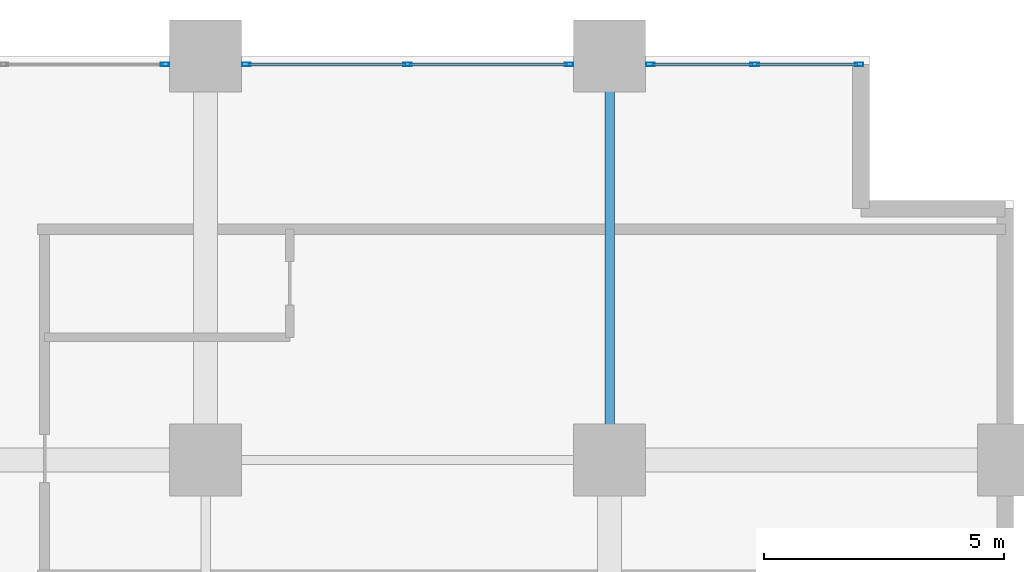
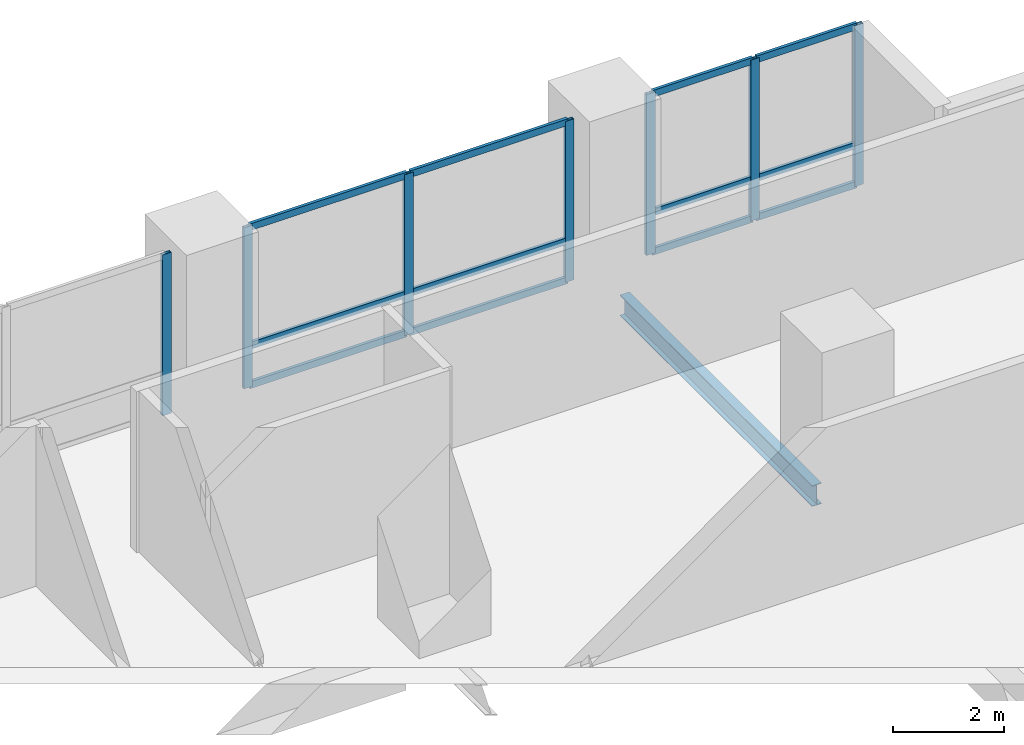
# One storey, part 5 of 21: 19 members, 1 beam, 3 elements without a shape of their own.
"""IFC4 building model written with IfcOpenShell, lengths in metres."""

from ifc_helpers import new_model, si_unit, direction, frame, origin, origin_2d, place, context, subcontext, project, spatial, hollow_rectangle, i_section, extrude, material, layer, layer_set, material_profile, profile_set, type_object, element, aggregate, save


model = new_model("IFC4")

# Units and contexts
model_context = context("Model", 3, precision=1e-05, world=origin(), true_north=direction((0.0, 1.0)))
body_context = subcontext(model_context, "Body", "Model", "MODEL_VIEW")
ifc_project = project(units=[si_unit("LENGTHUNIT", "METRE"), si_unit("AREAUNIT", "SQUARE_METRE"), si_unit("VOLUMEUNIT", "CUBIC_METRE"), si_unit("PLANEANGLEUNIT", "RADIAN"), si_unit("MASSUNIT", "GRAM", prefix="KILO")], contexts=[model_context])

# Site, building, storey
site_placement = place(None, origin())
site = spatial("IfcSite", under=ifc_project, at=site_placement, CompositionType="ELEMENT")
building_placement = place(site_placement, origin())
building = spatial("IfcBuilding", under=site, at=building_placement, Name="Koriwani Terraces Tower", CompositionType="ELEMENT")
storey_placement = place(building_placement, frame((0.0, 0.0, 77.60009765625)))
storey = spatial("IfcBuildingStorey", under=building, at=storey_placement, Name="L18", CompositionType="ELEMENT", Elevation=77.60009765625)

# Curtain wall, member
ifc_material_1 = material(Name="Anodised Bronze Aluminium", Category="aluminium")
ifc_layer = layer(ifc_material_1, 0.179931640625, Name="Anodised Bronze Aluminium")
ifc_layer_set = layer_set([ifc_layer], Name="Anodised Bronze Aluminium")
curtain_wall_type = type_object("IfcCurtainWallType", Name="CW_HOTEL_ZONE1", PredefinedType="NOTDEFINED", material=ifc_layer_set)
curtain_wall_1_placement = place(storey_placement, origin())
curtain_wall_1 = element("IfcCurtainWall", 1, at=curtain_wall_1_placement, inside=storey, type_object=curtain_wall_type, Name="L18 Unitised Curtain Wall (N_TIP) Bay 2", PredefinedType="NOTDEFINED")
ifc_material_profile_1 = material_profile(ifc_material_1, hollow_rectangle(XDim=0.074951171875, YDim=0.179931640625, WallThickness=0.006103515625, at=origin_2d()), Name="Anodised Bronze Aluminium", Category="LoadBearing")
ifc_profile_set_1 = profile_set([ifc_material_profile_1], Name="Anodised Bronze Aluminium")
member_type_1 = type_object("IfcMemberType", Name="CW_MULLION_180X75", PredefinedType="MULLION", material=ifc_profile_set_1)
member_1_placement = place(storey_placement, frame((15.952392578125, 92.22509765625, 0.0), z_axis=(0.0, 0.0, 1.0), x_axis=(0.0, 1.0, 0.0)))
member_1 = element("IfcMember", 2, at=member_1_placement, type_object=member_type_1, Name="CW-Z1 mullion 3", PredefinedType="MULLION", context=body_context, shape_type="SweptSolid", body=[
    extrude(hollow_rectangle(XDim=0.074951171875, YDim=0.179931640625, WallThickness=0.006103515625, at=origin_2d()), origin(), (0.0, 0.0, 1.0), 3.5498046875),
])
aggregate(curtain_wall_1, [member_1])

# Curtain wall, members
curtain_wall_2_placement = place(storey_placement, origin())
curtain_wall_2 = element("IfcCurtainWall", 3, at=curtain_wall_2_placement, inside=storey, type_object=curtain_wall_type, Name="L18 Unitised Curtain Wall (N_TIP) Bay 3", PredefinedType="NOTDEFINED")
member_2_placement = place(storey_placement, frame((17.6474609375, 92.22509765625, 0.0), z_axis=(0.0, 0.0, 1.0), x_axis=(0.0, 1.0, 0.0)))
member_2 = element("IfcMember", 4, at=member_2_placement, type_object=member_type_1, Name="CW-Z1 mullion 1", PredefinedType="MULLION", context=body_context, shape_type="SweptSolid", body=[
    extrude(hollow_rectangle(XDim=0.074951171875, YDim=0.179931640625, WallThickness=0.006103515625, at=origin_2d()), origin(), (0.0, 0.0, 1.0), 3.5498046875),
])
member_3_placement = place(storey_placement, frame((21.0, 92.22509765625, 0.0), z_axis=(0.0, 0.0, 1.0), x_axis=(0.0, 1.0, 0.0)))
member_3 = element("IfcMember", 5, at=member_3_placement, type_object=member_type_1, Name="CW-Z1 mullion 2", PredefinedType="MULLION", context=body_context, shape_type="SweptSolid", body=[
    extrude(hollow_rectangle(XDim=0.074951171875, YDim=0.179931640625, WallThickness=0.006103515625, at=origin_2d()), origin(), (0.0, 0.0, 1.0), 3.5498046875),
])
member_4_placement = place(storey_placement, frame((24.3525390625, 92.22509765625, 0.0), z_axis=(0.0, 0.0, 1.0), x_axis=(0.0, 1.0, 0.0)))
member_4 = element("IfcMember", 6, at=member_4_placement, type_object=member_type_1, Name="CW-Z1 mullion 3", PredefinedType="MULLION", context=body_context, shape_type="SweptSolid", body=[
    extrude(hollow_rectangle(XDim=0.074951171875, YDim=0.179931640625, WallThickness=0.006103515625, at=origin_2d()), origin(), (0.0, 0.0, 1.0), 3.5498046875),
])

curtain_wall_3_placement = place(storey_placement, origin())
curtain_wall_3 = element("IfcCurtainWall", 7, at=curtain_wall_3_placement, inside=storey, type_object=curtain_wall_type, Name="L18 Unitised Curtain Wall (N_TIP) Bay 4", PredefinedType="NOTDEFINED")
member_5_placement = place(storey_placement, frame((26.047607421875, 92.22509765625, 0.0), z_axis=(0.0, 0.0, 1.0), x_axis=(0.0, 1.0, 0.0)))
member_5 = element("IfcMember", 8, at=member_5_placement, type_object=member_type_1, Name="CW-Z1 mullion 1", PredefinedType="MULLION", context=body_context, shape_type="SweptSolid", body=[
    extrude(hollow_rectangle(XDim=0.074951171875, YDim=0.179931640625, WallThickness=0.006103515625, at=origin_2d()), origin(), (0.0, 0.0, 1.0), 3.5498046875),
])
member_6_placement = place(storey_placement, frame((28.217529296875, 92.22509765625, 0.0), z_axis=(0.0, 0.0, 1.0), x_axis=(0.0, 1.0, 0.0)))
member_6 = element("IfcMember", 9, at=member_6_placement, type_object=member_type_1, Name="CW-Z1 mullion 2", PredefinedType="MULLION", context=body_context, shape_type="SweptSolid", body=[
    extrude(hollow_rectangle(XDim=0.074951171875, YDim=0.179931640625, WallThickness=0.006103515625, at=origin_2d()), origin(), (0.0, 0.0, 1.0), 3.5498046875),
])
member_7_placement = place(storey_placement, frame((30.387451171875, 92.22509765625, 0.0), z_axis=(0.0, 0.0, 1.0), x_axis=(0.0, 1.0, 0.0)))
member_7 = element("IfcMember", 10, at=member_7_placement, type_object=member_type_1, Name="CW-Z1 mullion 3", PredefinedType="MULLION", context=body_context, shape_type="SweptSolid", body=[
    extrude(hollow_rectangle(XDim=0.074951171875, YDim=0.179931640625, WallThickness=0.006103515625, at=origin_2d()), origin(), (0.0, 0.0, 1.0), 3.5498046875),
])

# Member
ifc_material_profile_2 = material_profile(ifc_material_1, hollow_rectangle(XDim=0.06494140625, YDim=0.14990234375, WallThickness=0.0048828125, at=origin_2d()), Name="Anodised Bronze Aluminium", Category="LoadBearing")
ifc_profile_set_2 = profile_set([ifc_material_profile_2], Name="Anodised Bronze Aluminium")
member_type_2 = type_object("IfcMemberType", Name="CW_TRANSOM_150X65", PredefinedType="USERDEFINED", material=ifc_profile_set_2)
member_8_placement = place(storey_placement, frame((17.68505859375, 92.22509765625, 0.032470703125), z_axis=(1.0, 0.0, 0.0), x_axis=(0.0, 1.0, 0.0)))
member_8 = element("IfcMember", 11, at=member_8_placement, type_object=member_type_2, Name="CW-Z1 transom 1.1", ObjectType="TRANSOM", PredefinedType="USERDEFINED", context=body_context, shape_type="SweptSolid", body=[
    extrude(hollow_rectangle(XDim=0.06494140625, YDim=0.14990234375, WallThickness=0.0048828125, at=origin_2d()), origin(), (0.0, 0.0, 1.0), 3.27734375),
])

member_9_placement = place(storey_placement, frame((17.68505859375, 92.22509765625, 0.89990234375), z_axis=(1.0, 0.0, 0.0), x_axis=(0.0, 1.0, 0.0)))
member_9 = element("IfcMember", 12, at=member_9_placement, type_object=member_type_2, Name="CW-Z1 transom 1.2", ObjectType="TRANSOM", PredefinedType="USERDEFINED", context=body_context, shape_type="SweptSolid", body=[
    extrude(hollow_rectangle(XDim=0.06494140625, YDim=0.14990234375, WallThickness=0.0048828125, at=origin_2d()), origin(), (0.0, 0.0, 1.0), 3.27734375),
])

member_10_placement = place(storey_placement, frame((17.68505859375, 92.22509765625, 3.517333984375), z_axis=(1.0, 0.0, 0.0), x_axis=(0.0, 1.0, 0.0)))
member_10 = element("IfcMember", 13, at=member_10_placement, type_object=member_type_2, Name="CW-Z1 transom 1.3", ObjectType="TRANSOM", PredefinedType="USERDEFINED", context=body_context, shape_type="SweptSolid", body=[
    extrude(hollow_rectangle(XDim=0.06494140625, YDim=0.14990234375, WallThickness=0.0048828125, at=origin_2d()), origin(), (0.0, 0.0, 1.0), 3.27734375),
])

member_11_placement = place(storey_placement, frame((21.03759765625, 92.22509765625, 0.032470703125), z_axis=(1.0, 0.0, 0.0), x_axis=(0.0, 1.0, 0.0)))
member_11 = element("IfcMember", 14, at=member_11_placement, type_object=member_type_2, Name="CW-Z1 transom 2.1", ObjectType="TRANSOM", PredefinedType="USERDEFINED", context=body_context, shape_type="SweptSolid", body=[
    extrude(hollow_rectangle(XDim=0.06494140625, YDim=0.14990234375, WallThickness=0.0048828125, at=origin_2d()), origin(), (0.0, 0.0, 1.0), 3.27734375),
])

member_12_placement = place(storey_placement, frame((21.03759765625, 92.22509765625, 0.89990234375), z_axis=(1.0, 0.0, 0.0), x_axis=(0.0, 1.0, 0.0)))
member_12 = element("IfcMember", 15, at=member_12_placement, type_object=member_type_2, Name="CW-Z1 transom 2.2", ObjectType="TRANSOM", PredefinedType="USERDEFINED", context=body_context, shape_type="SweptSolid", body=[
    extrude(hollow_rectangle(XDim=0.06494140625, YDim=0.14990234375, WallThickness=0.0048828125, at=origin_2d()), origin(), (0.0, 0.0, 1.0), 3.27734375),
])

member_13_placement = place(storey_placement, frame((21.03759765625, 92.22509765625, 3.517333984375), z_axis=(1.0, 0.0, 0.0), x_axis=(0.0, 1.0, 0.0)))
member_13 = element("IfcMember", 16, at=member_13_placement, type_object=member_type_2, Name="CW-Z1 transom 2.3", ObjectType="TRANSOM", PredefinedType="USERDEFINED", context=body_context, shape_type="SweptSolid", body=[
    extrude(hollow_rectangle(XDim=0.06494140625, YDim=0.14990234375, WallThickness=0.0048828125, at=origin_2d()), origin(), (0.0, 0.0, 1.0), 3.27734375),
])

aggregate(curtain_wall_2, [member_2, member_3, member_4, member_8, member_9, member_10, member_11, member_12, member_13])

member_14_placement = place(storey_placement, frame((26.0849609375, 92.22509765625, 0.032470703125), z_axis=(1.0, 0.0, 0.0), x_axis=(0.0, 1.0, 0.0)))
member_14 = element("IfcMember", 17, at=member_14_placement, type_object=member_type_2, Name="CW-Z1 transom 1.1", ObjectType="TRANSOM", PredefinedType="USERDEFINED", context=body_context, shape_type="SweptSolid", body=[
    extrude(hollow_rectangle(XDim=0.06494140625, YDim=0.14990234375, WallThickness=0.0048828125, at=origin_2d()), origin(), (0.0, 0.0, 1.0), 2.094970703125),
])

member_15_placement = place(storey_placement, frame((26.0849609375, 92.22509765625, 0.89990234375), z_axis=(1.0, 0.0, 0.0), x_axis=(0.0, 1.0, 0.0)))
member_15 = element("IfcMember", 18, at=member_15_placement, type_object=member_type_2, Name="CW-Z1 transom 1.2", ObjectType="TRANSOM", PredefinedType="USERDEFINED", context=body_context, shape_type="SweptSolid", body=[
    extrude(hollow_rectangle(XDim=0.06494140625, YDim=0.14990234375, WallThickness=0.0048828125, at=origin_2d()), origin(), (0.0, 0.0, 1.0), 2.094970703125),
])

member_16_placement = place(storey_placement, frame((26.0849609375, 92.22509765625, 3.517333984375), z_axis=(1.0, 0.0, 0.0), x_axis=(0.0, 1.0, 0.0)))
member_16 = element("IfcMember", 19, at=member_16_placement, type_object=member_type_2, Name="CW-Z1 transom 1.3", ObjectType="TRANSOM", PredefinedType="USERDEFINED", context=body_context, shape_type="SweptSolid", body=[
    extrude(hollow_rectangle(XDim=0.06494140625, YDim=0.14990234375, WallThickness=0.0048828125, at=origin_2d()), origin(), (0.0, 0.0, 1.0), 2.094970703125),
])

member_17_placement = place(storey_placement, frame((28.2548828125, 92.22509765625, 0.032470703125), z_axis=(1.0, 0.0, 0.0), x_axis=(0.0, 1.0, 0.0)))
member_17 = element("IfcMember", 20, at=member_17_placement, type_object=member_type_2, Name="CW-Z1 transom 2.1", ObjectType="TRANSOM", PredefinedType="USERDEFINED", context=body_context, shape_type="SweptSolid", body=[
    extrude(hollow_rectangle(XDim=0.06494140625, YDim=0.14990234375, WallThickness=0.0048828125, at=origin_2d()), origin(), (0.0, 0.0, 1.0), 2.09521484375),
])

member_18_placement = place(storey_placement, frame((28.2548828125, 92.22509765625, 0.89990234375), z_axis=(1.0, 0.0, 0.0), x_axis=(0.0, 1.0, 0.0)))
member_18 = element("IfcMember", 21, at=member_18_placement, type_object=member_type_2, Name="CW-Z1 transom 2.2", ObjectType="TRANSOM", PredefinedType="USERDEFINED", context=body_context, shape_type="SweptSolid", body=[
    extrude(hollow_rectangle(XDim=0.06494140625, YDim=0.14990234375, WallThickness=0.0048828125, at=origin_2d()), origin(), (0.0, 0.0, 1.0), 2.09521484375),
])

member_19_placement = place(storey_placement, frame((28.2548828125, 92.22509765625, 3.517333984375), z_axis=(1.0, 0.0, 0.0), x_axis=(0.0, 1.0, 0.0)))
member_19 = element("IfcMember", 22, at=member_19_placement, type_object=member_type_2, Name="CW-Z1 transom 2.3", ObjectType="TRANSOM", PredefinedType="USERDEFINED", context=body_context, shape_type="SweptSolid", body=[
    extrude(hollow_rectangle(XDim=0.06494140625, YDim=0.14990234375, WallThickness=0.0048828125, at=origin_2d()), origin(), (0.0, 0.0, 1.0), 2.09521484375),
])

aggregate(curtain_wall_3, [member_5, member_6, member_7, member_14, member_15, member_16, member_17, member_18, member_19])

# Beam
ifc_material_2 = material(Name="Steel ASTM A572 Grade 50", Category="steel")
ifc_material_profile_3 = material_profile(ifc_material_2, i_section(OverallWidth=0.193115234375, OverallDepth=0.462890625, WebThickness=0.0107421875, FlangeThickness=0.017333984375, at=origin_2d()), Name="Steel ASTM A572 Grade 50", Category="LoadBearing")
ifc_profile_set_3 = profile_set([ifc_material_profile_3], Name="Steel ASTM A572 Grade 50")
beam_type = type_object("IfcBeamType", Name="STEEL_BEAM_W460X113", PredefinedType="BEAM", material=ifc_profile_set_3)
beam_placement = place(storey_placement, frame((25.199951171875, 84.72998046875, -0.481689453125), z_axis=(0.0, 1.0, 0.0), x_axis=(-1.0, 0.0, 0.0)))
element("IfcBeam", 23, at=beam_placement, inside=storey, type_object=beam_type, Name="L18 Grid Beam 4 (84.0-92.4m)", PredefinedType="BEAM", context=body_context, shape_type="SweptSolid", body=[
    extrude(i_section(OverallWidth=0.193115234375, OverallDepth=0.462890625, WebThickness=0.0107421875, FlangeThickness=0.017333984375, at=origin_2d()), origin(), (0.0, 0.0, 1.0), 6.93994140625),
])

save(model, "model.ifc")
